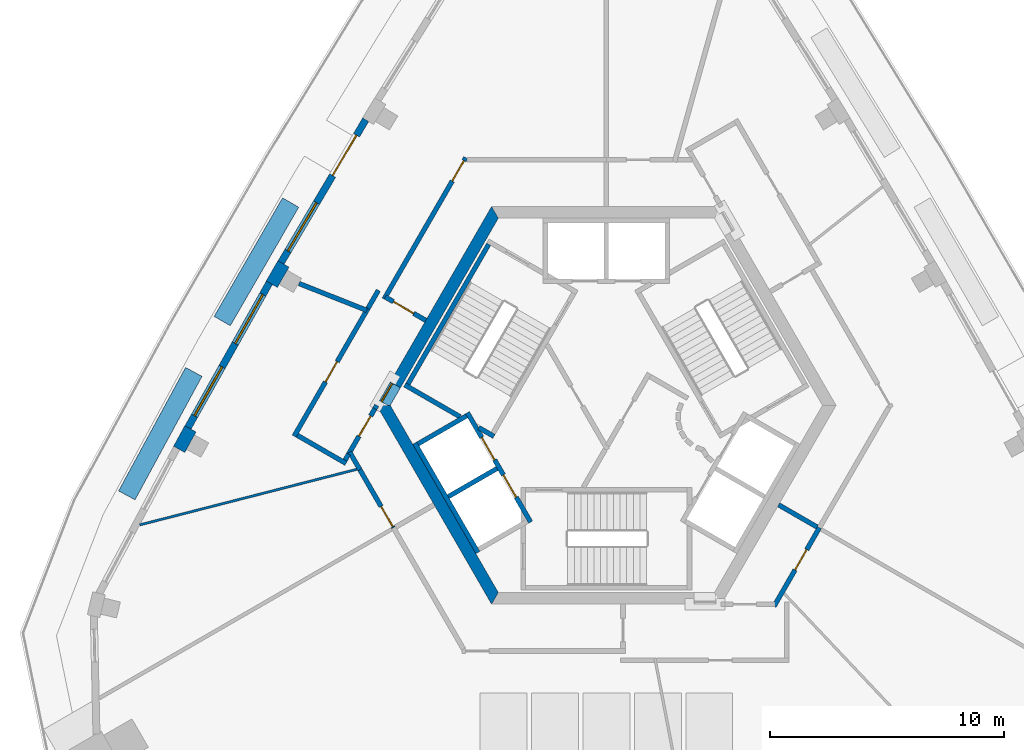
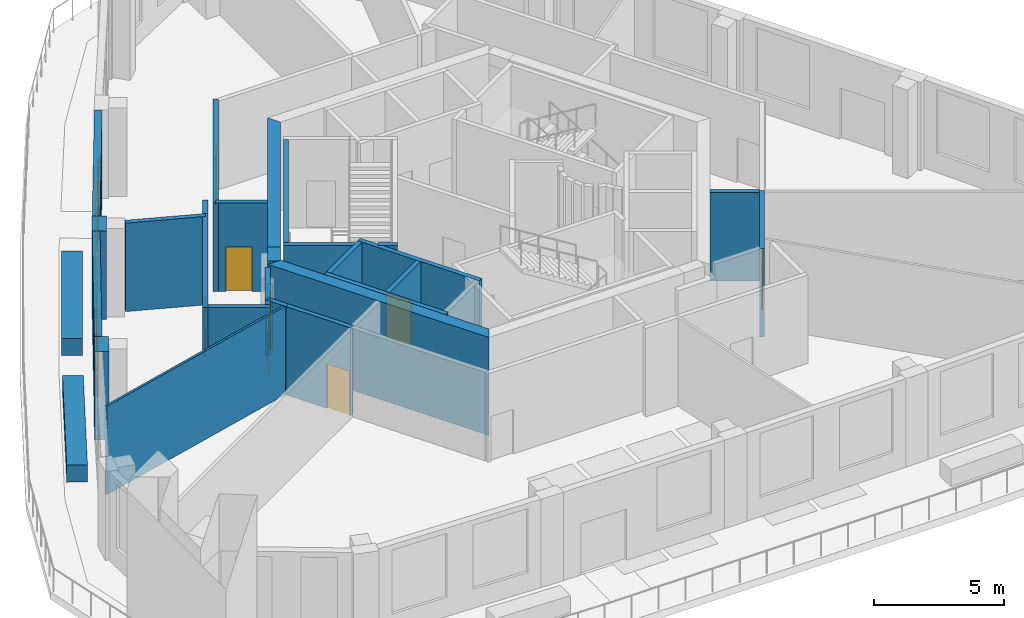
# One storey, part 3 of 9: 31 walls, 10 doors, 3 windows, 13 openings.
"""IFC4 building model written with IfcOpenShell, lengths in metres."""

from ifc_helpers import new_model, si_unit, direction, frame, frame_2d, origin, place, context, subcontext, project, spatial, polyline, rectangle, outline, extrude, material, layer, layer_set, type_object, element, fill, save


model = new_model("IFC4")

# Units and contexts
model_context = context("Model", 3, precision=1e-05, world=origin(), true_north=direction((0.0, 1.0)))
body_context = subcontext(model_context, "Body", "Model", "MODEL_VIEW")
ifc_project = project(units=[si_unit("LENGTHUNIT", "METRE"), si_unit("AREAUNIT", "SQUARE_METRE"), si_unit("VOLUMEUNIT", "CUBIC_METRE"), si_unit("PLANEANGLEUNIT", "RADIAN"), si_unit("MASSUNIT", "GRAM", prefix="KILO")], contexts=[model_context])

# Site, building, storey
site_placement = place(None, origin())
site = spatial("IfcSite", under=ifc_project, at=site_placement, CompositionType="ELEMENT")
building_placement = place(site_placement, origin())
building = spatial("IfcBuilding", under=site, at=building_placement, Name="Entoto Arch Interchange Tower", CompositionType="ELEMENT")
storey_placement = place(building_placement, frame((0.0, 0.0, 331.39990234375)))
storey = spatial("IfcBuildingStorey", under=building, at=storey_placement, Name="L78", CompositionType="ELEMENT", Elevation=331.39990234375)

# Wall, opening, door
ifc_material_1 = material(Name="Reinforced concrete C40/50", Category="concrete")
ifc_layer_1 = layer(ifc_material_1, 0.199951171875)
ifc_layer_set_1 = layer_set([ifc_layer_1], Name="Reinforced concrete C40/50")
wall_type_1 = type_object("IfcWallType", Name="CORE GAP INFILL WALL", PredefinedType="PARTITIONING", material=ifc_layer_set_1)
wall_1_placement = place(storey_placement, frame((-9.14990234375, 3.451904296875, 0.0), z_axis=(0.0, 0.0, 1.0), x_axis=(-0.500079945886, -0.865979242085, 0.0)))
wall_1 = element("IfcWall", 1, at=wall_1_placement, inside=storey, type_object=wall_type_1, Name="wall:L78:gap3", PredefinedType="PARTITIONING", context=body_context, shape_type="SweptSolid", body=[
    extrude(rectangle(XDim=0.926025390625, YDim=0.199951171875, at=frame_2d((0.462890625, 0.0))), origin(), (0.0, 0.0, 1.0), 2.400146484375),
])
opening_1_placement = place(wall_1_placement, frame((0.01708984375, 0.0, 0.0)))
opening_1 = element("IfcOpeningElement", 2, at=opening_1_placement, cuts=wall_1, Name="Opening L78-D93", PredefinedType="OPENING", context=body_context, shape_type="SweptSolid", body=[
    extrude(rectangle(XDim=0.89990234375, YDim=2.10009765625, at=frame_2d((0.449951171875, 1.050048828125))), frame((0.0, 0.10986328125, 0.0), z_axis=(0.0, -1.0, 0.0), x_axis=(1.0, 0.0, 0.0)), (0.0, 0.0, 1.0), 0.219970703125),
])
ifc_material_2 = material(Name="Fire-rated Steel S235 door and frame", Category="steel")
door_type_1 = type_object("IfcDoorType", Name="DOOR FD-09 900x2100", OperationType="SINGLE_SWING_LEFT", PredefinedType="DOOR", material=ifc_material_2)
door_1_placement = place(opening_1_placement, origin())
door_1 = element("IfcDoor", 3, at=door_1_placement, inside=storey, type_object=door_type_1, Name="door:L78:gap3", OperationType="SINGLE_SWING_LEFT", OverallHeight=2.10009765625, OverallWidth=0.89990234375, PredefinedType="DOOR", context=body_context, shape_type="SweptSolid", body=[
    extrude(rectangle(XDim=0.89990234375, YDim=2.10009765625, at=frame_2d((0.449951171875, 1.050048828125))), frame((0.0, 0.02490234375, 0.0), z_axis=(0.0, -1.0, 0.0), x_axis=(1.0, 0.0, 0.0)), (0.0, 0.0, 1.0), 0.050048828125),
])
fill(opening_1, door_1)

# Walls
ifc_material_3 = material(Name="Concrete C40/50", Category="concrete")
ifc_layer_2 = layer(ifc_material_3, 0.5)
ifc_layer_set_2 = layer_set([ifc_layer_2], Name="Concrete C40/50")
wall_type_2 = type_object("IfcWallType", Name="Core wall 500 C40/50", PredefinedType="SHEAR", material=ifc_layer_set_2)
wall_2_placement = place(storey_placement, frame((0.0, 0.0, -0.449951171875)))
element("IfcWall", 4, at=wall_2_placement, inside=storey, type_object=wall_type_2, Name="Core wall NW L78", PredefinedType="SHEAR", context=body_context, shape_type="SweptSolid", body=[
    extrude(outline(polyline([(-9.236083984375, 3.501953125), (-8.802978515625, 3.2529296875), (-4.618896484375, 10.5), (-4.906982421875, 11.0), (-9.236083984375, 3.501953125)])), origin(), (0.0, 0.0, 1.0), 4.60009765625),
])
wall_3_placement = place(storey_placement, frame((0.0, 0.0, 3.60009765625)))
element("IfcWall", 5, at=wall_3_placement, inside=storey, type_object=wall_type_2, Name="Core wall lintel NW L78", PredefinedType="SHEAR", context=body_context, shape_type="SweptSolid", body=[
    extrude(outline(polyline([(-9.699951171875, 2.699951171875), (-9.35400390625, 2.5), (-9.238037109375, 2.5), (-8.802978515625, 3.2529296875), (-9.236083984375, 3.501953125), (-9.699951171875, 2.699951171875)])), origin(), (0.0, 0.0, 1.0), 0.550048828125),
])
wall_4_placement = place(storey_placement, frame((0.0, 0.0, -0.449951171875)))
element("IfcWall", 6, at=wall_4_placement, inside=storey, type_object=wall_type_2, Name="Core wall SW L78", PredefinedType="SHEAR", context=body_context, shape_type="SweptSolid", body=[
    extrude(outline(polyline([(-9.81494140625, 2.5), (-4.906982421875, -6.0), (-4.618896484375, -5.5), (-9.238037109375, 2.5), (-9.81494140625, 2.5)])), origin(), (0.0, 0.0, 1.0), 4.60009765625),
])

# Wall, openings, doors
ifc_layer_3 = layer(ifc_material_3, 0.199951171875)
ifc_layer_set_3 = layer_set([ifc_layer_3], Name="Concrete C40/50")
wall_type_3 = type_object("IfcWallType", Name="LIFT SHAFT WALL 200", PredefinedType="STANDARD", material=ifc_layer_set_3)
wall_5_placement = place(storey_placement, frame((-5.93994140625, 2.18798828125, 0.0), z_axis=(0.0, 0.0, 1.0), x_axis=(0.500034260056, -0.866005622828, 0.0)))
wall_5 = element("IfcWall", 7, at=wall_5_placement, inside=storey, type_object=wall_type_3, Name="Shaft wall SW1 front", PredefinedType="STANDARD", context=body_context, shape_type="SweptSolid", body=[
    extrude(rectangle(XDim=5.3994140625, YDim=0.199951171875, at=frame_2d((2.69970703125, 0.0))), origin(), (0.0, 0.0, 1.0), 4.150146484375),
])
opening_2_placement = place(wall_5_placement, frame((3.074951171875, 0.0, 0.0)))
opening_2 = element("IfcOpeningElement", 8, at=opening_2_placement, cuts=wall_5, Name="Opening LD-HR4-L78", PredefinedType="OPENING", context=body_context, shape_type="SweptSolid", body=[
    extrude(rectangle(XDim=1.10009765625, YDim=2.10009765625, at=frame_2d((0.550048828125, 1.050048828125))), frame((0.0, 0.10986328125, 0.0), z_axis=(0.0, -1.0, 0.0), x_axis=(1.0, 0.0, 0.0)), (0.0, 0.0, 1.0), 0.219970703125),
])
opening_3_placement = place(wall_5_placement, frame((1.22509765625, 0.0, 0.0)))
opening_3 = element("IfcOpeningElement", 9, at=opening_3_placement, cuts=wall_5, Name="Opening LD-FF2-L78", PredefinedType="OPENING", context=body_context, shape_type="SweptSolid", body=[
    extrude(rectangle(XDim=1.10009765625, YDim=2.10009765625, at=frame_2d((0.550048828125, 1.050048828125))), frame((0.0, 0.10986328125, 0.0), z_axis=(0.0, -1.0, 0.0), x_axis=(1.0, 0.0, 0.0)), (0.0, 0.0, 1.0), 0.219970703125),
])
ifc_material_4 = material(Name="Stainless steel 1.4301 panels", Category="steel")
door_type_2 = type_object("IfcDoorType", Name="LIFT LANDING DOOR LD1 1100x2100", OperationType="SLIDING_TO_LEFT", PredefinedType="DOOR", material=ifc_material_4)
door_2_placement = place(opening_2_placement, origin())
door_2 = element("IfcDoor", 10, at=door_2_placement, inside=storey, type_object=door_type_2, Name="Lift landing door HR4 L78", OperationType="SLIDING_TO_LEFT", OverallHeight=2.10009765625, OverallWidth=1.10009765625, PredefinedType="DOOR", context=body_context, shape_type="SweptSolid", body=[
    extrude(rectangle(XDim=1.10009765625, YDim=2.10009765625, at=frame_2d((0.550048828125, 1.050048828125))), frame((0.0, 0.02490234375, 0.0), z_axis=(0.0, -1.0, 0.0), x_axis=(1.0, 0.0, 0.0)), (0.0, 0.0, 1.0), 0.050048828125),
])
fill(opening_2, door_2)
door_3_placement = place(opening_3_placement, origin())
door_3 = element("IfcDoor", 11, at=door_3_placement, inside=storey, type_object=door_type_2, Name="Lift landing door FF2 L78", OperationType="SLIDING_TO_LEFT", OverallHeight=2.10009765625, OverallWidth=1.10009765625, PredefinedType="DOOR", context=body_context, shape_type="SweptSolid", body=[
    extrude(rectangle(XDim=1.10009765625, YDim=2.10009765625, at=frame_2d((0.550048828125, 1.050048828125))), frame((0.0, 0.02490234375, 0.0), z_axis=(0.0, -1.0, 0.0), x_axis=(1.0, 0.0, 0.0)), (0.0, 0.0, 1.0), 0.050048828125),
])
fill(opening_3, door_3)

# Walls
wall_6_placement = place(storey_placement, frame((-8.19189453125, 0.887939453125, 0.0), z_axis=(0.0, 0.0, 1.0), x_axis=(0.500034260056, -0.866005622828, 0.0)))
element("IfcWall", 12, at=wall_6_placement, inside=storey, type_object=wall_type_3, Name="Shaft wall SW1 back", PredefinedType="STANDARD", context=body_context, shape_type="SweptSolid", body=[
    extrude(rectangle(XDim=5.3994140625, YDim=0.199951171875, at=frame_2d((2.69970703125, 0.0))), origin(), (0.0, 0.0, 1.0), 4.150146484375),
])
for number, where, z_axis, x_axis, name in (
    (13, (-5.97705078125, 2.052001953125, 0.0), (0.0, 0.0, 1.0), (-0.865973769406, -0.500089422704, 0.0), "Shaft wall SW1 cross 1"),
    (14, (-4.677001953125, -0.199951171875, 0.0), (0.0, 0.0, 1.0), (-0.865973769406, -0.500089422704, 0.0), "Shaft wall SW1 cross 2"),
):
    element("IfcWall", number, at=place(storey_placement, frame(where, z_axis=z_axis, x_axis=x_axis)), inside=storey, type_object=wall_type_3, Name=name, PredefinedType="STANDARD", context=body_context, shape_type="SweptSolid", body=[
        extrude(rectangle(XDim=2.3994140625, YDim=0.199951171875, at=frame_2d((1.19970703125, 0.0))), origin(), (0.0, 0.0, 1.0), 4.150146484375),
    ])
ifc_material_5 = material(Name="Gypsum board partition on steel studs", Category="steel")
ifc_layer_4 = layer(ifc_material_5, 0.10009765625)
ifc_layer_set_4 = layer_set([ifc_layer_4], Name="Gypsum board partition on steel studs")
wall_type_4 = type_object("IfcWallType", Name="PARTITION 100", PredefinedType="PARTITIONING", material=ifc_layer_set_4)
wall_7_placement = place(storey_placement, frame((-10.465087890625, -0.180908203125, 0.0), z_axis=(0.0, 0.0, 1.0), x_axis=(-0.968738459131, -0.248084255448, 0.0)))
element("IfcWall", 15, at=wall_7_placement, inside=storey, type_object=wall_type_4, Name="wall:L78:p050", PredefinedType="PARTITIONING", context=body_context, shape_type="SweptSolid", body=[
    extrude(rectangle(XDim=9.786865234375, YDim=0.10009765625, at=frame_2d((4.8935546875, 0.0))), origin(), (0.0, 0.0, 1.0), 4.150146484375),
])

# Wall, opening, door
ifc_layer_5 = layer(ifc_material_5, 0.199951171875)
ifc_layer_set_5 = layer_set([ifc_layer_5], Name="Gypsum board partition on steel studs")
wall_type_5 = type_object("IfcWallType", Name="PARTITION 200", PredefinedType="PARTITIONING", material=ifc_layer_set_5)
wall_8_placement = place(storey_placement, frame((9.10595703125, -2.72802734375, 0.0), z_axis=(0.0, 0.0, 1.0), x_axis=(-0.500132879116, -0.865948672398, 0.0)))
wall_8 = element("IfcWall", 16, at=wall_8_placement, inside=storey, type_object=wall_type_5, Name="wall:L78:p021", PredefinedType="PARTITIONING", context=body_context, shape_type="SweptSolid", body=[
    extrude(rectangle(XDim=3.87890625, YDim=0.199951171875, at=frame_2d((1.939453125, 0.0))), origin(), (0.0, 0.0, 1.0), 4.150146484375),
])
opening_4_placement = place(wall_8_placement, frame((1.0830078125, 0.0, 0.0)))
opening_4 = element("IfcOpeningElement", 17, at=opening_4_placement, cuts=wall_8, Name="Opening L78-D05", PredefinedType="OPENING", context=body_context, shape_type="SweptSolid", body=[
    extrude(rectangle(XDim=1.0, YDim=2.10009765625, at=frame_2d((0.5, 1.050048828125))), frame((0.0, 0.10986328125, 0.0), z_axis=(0.0, -1.0, 0.0), x_axis=(1.0, 0.0, 0.0)), (0.0, 0.0, 1.0), 0.219970703125),
])
ifc_material_6 = material(Name="Timber door leaf in Steel S235 frame", Category="steel")
door_type_3 = type_object("IfcDoorType", Name="DOOR DS-10 1000x2100", OperationType="SINGLE_SWING_LEFT", PredefinedType="DOOR", material=ifc_material_6)
door_4_placement = place(opening_4_placement, origin())
door_4 = element("IfcDoor", 18, at=door_4_placement, inside=storey, type_object=door_type_3, Name="door:L78:05", OperationType="SINGLE_SWING_LEFT", OverallHeight=2.10009765625, OverallWidth=1.0, PredefinedType="DOOR", context=body_context, shape_type="SweptSolid", body=[
    extrude(rectangle(XDim=1.0, YDim=2.10009765625, at=frame_2d((0.5, 1.050048828125))), frame((0.0, 0.02490234375, 0.0), z_axis=(0.0, -1.0, 0.0), x_axis=(1.0, 0.0, 0.0)), (0.0, 0.0, 1.0), 0.050048828125),
])
fill(opening_4, door_4)

# Wall
wall_9_placement = place(storey_placement, frame((7.361083984375, -1.75, 0.0), z_axis=(0.0, 0.0, 1.0), x_axis=(0.865980106173, -0.500078449558, 0.0)))
element("IfcWall", 19, at=wall_9_placement, inside=storey, type_object=wall_type_5, Name="wall:L78:p022", PredefinedType="PARTITIONING", context=body_context, shape_type="SweptSolid", body=[
    extrude(rectangle(XDim=1.899658203125, YDim=0.199951171875, at=frame_2d((0.94970703125, 0.0))), origin(), (0.0, 0.0, 1.0), 4.150146484375),
])

# Wall, opening, door
wall_10_placement = place(storey_placement, frame((-9.449951171875, 7.132080078125, 0.0), z_axis=(0.0, 0.0, 1.0), x_axis=(0.866010750942, -0.50002537861, 0.0)))
wall_10 = element("IfcWall", 20, at=wall_10_placement, inside=storey, type_object=wall_type_5, Name="wall:L78:p039", PredefinedType="PARTITIONING", context=body_context, shape_type="SweptSolid", body=[
    extrude(rectangle(XDim=2.0, YDim=0.199951171875, at=frame_2d((1.0, 0.0))), origin(), (0.0, 0.0, 1.0), 4.150146484375),
])
opening_5_placement = place(wall_10_placement, frame((0.39990234375, 0.0, 0.0)))
opening_5 = element("IfcOpeningElement", 21, at=opening_5_placement, cuts=wall_10, Name="Opening L78-D11", PredefinedType="OPENING", context=body_context, shape_type="SweptSolid", body=[
    extrude(rectangle(XDim=1.0, YDim=2.10009765625, at=frame_2d((0.5, 1.050048828125))), frame((0.0, 0.10986328125, 0.0), z_axis=(0.0, -1.0, 0.0), x_axis=(1.0, 0.0, 0.0)), (0.0, 0.0, 1.0), 0.219970703125),
])
door_type_4 = type_object("IfcDoorType", Name="DOOR FD-10 1000x2100", OperationType="SINGLE_SWING_LEFT", PredefinedType="DOOR", material=ifc_material_2)
door_5_placement = place(opening_5_placement, origin())
door_5 = element("IfcDoor", 22, at=door_5_placement, inside=storey, type_object=door_type_4, Name="door:L78:11", OperationType="SINGLE_SWING_LEFT", OverallHeight=2.10009765625, OverallWidth=1.0, PredefinedType="DOOR", context=body_context, shape_type="SweptSolid", body=[
    extrude(rectangle(XDim=1.0, YDim=2.10009765625, at=frame_2d((0.5, 1.050048828125))), frame((0.0, 0.02490234375, 0.0), z_axis=(0.0, -1.0, 0.0), x_axis=(1.0, 0.0, 0.0)), (0.0, 0.0, 1.0), 0.050048828125),
])
fill(opening_5, door_5)

# Walls
wall_11_placement = place(storey_placement, frame((-9.81494140625, 2.5, 0.0), z_axis=(0.0, 0.0, 1.0), x_axis=(-0.5004692653, -0.865754303766, 0.0)))
element("IfcWall", 23, at=wall_11_placement, inside=storey, type_object=wall_type_5, Name="wall:L78:p040", PredefinedType="PARTITIONING", context=body_context, shape_type="SweptSolid", body=[
    extrude(rectangle(XDim=0.169677734375, YDim=0.199951171875, at=frame_2d((0.0849609375, 0.0))), origin(), (0.0, 0.0, 1.0), 2.400146484375),
])
wall_12_placement = place(storey_placement, frame((-11.02001953125, 0.4130859375, 0.0), z_axis=(0.0, 0.0, 1.0), x_axis=(-0.500222587251, -0.865896854829, 0.0)))
element("IfcWall", 24, at=wall_12_placement, inside=storey, type_object=wall_type_5, Name="wall:L78:p041", PredefinedType="PARTITIONING", context=body_context, shape_type="SweptSolid", body=[
    extrude(rectangle(XDim=0.295654296875, YDim=0.199951171875, at=frame_2d((0.14794921875, 0.0))), origin(), (0.0, 0.0, 1.0), 4.150146484375),
])
wall_13_placement = place(storey_placement, frame((-11.131103515625, 0.02001953125, 0.0), z_axis=(0.0, 0.0, 1.0), x_axis=(-0.865973769406, 0.500089422704, 0.0)))
element("IfcWall", 25, at=wall_13_placement, inside=storey, type_object=wall_type_5, Name="wall:L78:p042", PredefinedType="PARTITIONING", context=body_context, shape_type="SweptSolid", body=[
    extrude(rectangle(XDim=2.3994140625, YDim=0.199951171875, at=frame_2d((1.19970703125, 0.0))), origin(), (0.0, 0.0, 1.0), 4.150146484375),
])

# Wall, opening, door
wall_14_placement = place(storey_placement, frame((-13.345947265625, 1.18310546875, 0.0), z_axis=(0.0, 0.0, 1.0), x_axis=(0.49998814853, 0.866032246126, 0.0)))
wall_14 = element("IfcWall", 26, at=wall_14_placement, inside=storey, type_object=wall_type_5, Name="wall:L78:p043", PredefinedType="PARTITIONING", context=body_context, shape_type="SweptSolid", body=[
    extrude(rectangle(XDim=6.310302734375, YDim=0.199951171875, at=frame_2d((3.1552734375, 0.0))), origin(), (0.0, 0.0, 1.0), 4.150146484375),
])
opening_6_placement = place(wall_14_placement, frame((2.679931640625, 0.0, 0.0)))
opening_6 = element("IfcOpeningElement", 27, at=opening_6_placement, cuts=wall_14, Name="Opening L78-D13", PredefinedType="OPENING", context=body_context, shape_type="SweptSolid", body=[
    extrude(rectangle(XDim=1.0, YDim=2.10009765625, at=frame_2d((0.5, 1.050048828125))), frame((0.0, 0.10986328125, 0.0), z_axis=(0.0, -1.0, 0.0), x_axis=(1.0, 0.0, 0.0)), (0.0, 0.0, 1.0), 0.219970703125),
])
door_6_placement = place(opening_6_placement, origin())
door_6 = element("IfcDoor", 28, at=door_6_placement, inside=storey, type_object=door_type_4, Name="door:L78:13", OperationType="SINGLE_SWING_LEFT", OverallHeight=2.10009765625, OverallWidth=1.0, PredefinedType="DOOR", context=body_context, shape_type="SweptSolid", body=[
    extrude(rectangle(XDim=1.0, YDim=2.10009765625, at=frame_2d((0.5, 1.050048828125))), frame((0.0, 0.02490234375, 0.0), z_axis=(0.0, -1.0, 0.0), x_axis=(1.0, 0.0, 0.0)), (0.0, 0.0, 1.0), 0.050048828125),
])
fill(opening_6, door_6)

# Wall
wall_15_placement = place(storey_placement, frame((-10.19091796875, 6.64794921875, 0.0), z_axis=(0.0, 0.0, 1.0), x_axis=(0.49973828311, 0.866176453382, 0.0)))
element("IfcWall", 29, at=wall_15_placement, inside=storey, type_object=wall_type_5, Name="wall:L78:p044", PredefinedType="PARTITIONING", context=body_context, shape_type="SweptSolid", body=[
    extrude(rectangle(XDim=0.89013671875, YDim=0.199951171875, at=frame_2d((0.445068359375, 0.0))), origin(), (0.0, 0.0, 1.0), 4.150146484375),
])

# Wall, opening, door
wall_16_placement = place(storey_placement, frame((-9.5, 7.044921875, 0.0), z_axis=(0.0, 0.0, 1.0), x_axis=(0.499966812698, 0.866044563634, 0.0)))
wall_16 = element("IfcWall", 30, at=wall_16_placement, inside=storey, type_object=wall_type_5, Name="wall:L78:p045", PredefinedType="PARTITIONING", context=body_context, shape_type="SweptSolid", body=[
    extrude(rectangle(XDim=6.9765625, YDim=0.199951171875, at=frame_2d((3.48828125, 0.0))), origin(), (0.0, 0.0, 1.0), 4.150146484375),
])
opening_7_placement = place(wall_16_placement, frame((5.825927734375, 0.0, 0.0)))
opening_7 = element("IfcOpeningElement", 31, at=opening_7_placement, cuts=wall_16, Name="Opening L78-D14", PredefinedType="OPENING", context=body_context, shape_type="SweptSolid", body=[
    extrude(rectangle(XDim=1.0, YDim=2.10009765625, at=frame_2d((0.5, 1.050048828125))), frame((0.0, 0.10986328125, 0.0), z_axis=(0.0, -1.0, 0.0), x_axis=(1.0, 0.0, 0.0)), (0.0, 0.0, 1.0), 0.219970703125),
])
door_7_placement = place(opening_7_placement, origin())
door_7 = element("IfcDoor", 32, at=door_7_placement, inside=storey, type_object=door_type_3, Name="door:L78:14", OperationType="SINGLE_SWING_RIGHT", OverallHeight=2.10009765625, OverallWidth=1.0, PredefinedType="DOOR", context=body_context, shape_type="SweptSolid", body=[
    extrude(rectangle(XDim=1.0, YDim=2.10009765625, at=frame_2d((0.5, 1.050048828125))), frame((0.0, 0.02490234375, 0.0), z_axis=(0.0, -1.0, 0.0), x_axis=(1.0, 0.0, 0.0)), (0.0, 0.0, 1.0), 0.050048828125),
])
fill(opening_7, door_7)

# Wall
wall_17_placement = place(storey_placement, frame((-10.537109375, -0.2490234375, 0.0), z_axis=(0.0, 0.0, 1.0), x_axis=(-0.500357525511, 0.865818887912, 0.0)))
element("IfcWall", 33, at=wall_17_placement, inside=storey, type_object=wall_type_5, Name="wall:L78:p047", PredefinedType="PARTITIONING", context=body_context, shape_type="SweptSolid", body=[
    extrude(rectangle(XDim=0.864990234375, YDim=0.199951171875, at=frame_2d((0.4326171875, 0.0))), origin(), (0.0, 0.0, 1.0), 4.150146484375),
])

# Wall, opening, door
wall_18_placement = place(storey_placement, frame((-9.10498046875, -2.72802734375, 0.0), z_axis=(0.0, 0.0, 1.0), x_axis=(-0.500229291894, 0.86589298157, 0.0)))
wall_18 = element("IfcWall", 34, at=wall_18_placement, inside=storey, type_object=wall_type_5, Name="wall:L78:p048", PredefinedType="PARTITIONING", context=body_context, shape_type="SweptSolid", body=[
    extrude(rectangle(XDim=2.863037109375, YDim=0.199951171875, at=frame_2d((1.431640625, 0.0))), origin(), (0.0, 0.0, 1.0), 4.150146484375),
])
opening_8_placement = place(wall_18_placement, frame((0.049072265625, 0.0, 0.0)))
opening_8 = element("IfcOpeningElement", 35, at=opening_8_placement, cuts=wall_18, Name="Opening L78-D15", PredefinedType="OPENING", context=body_context, shape_type="SweptSolid", body=[
    extrude(rectangle(XDim=1.0, YDim=2.10009765625, at=frame_2d((0.5, 1.050048828125))), frame((0.0, 0.10986328125, 0.0), z_axis=(0.0, -1.0, 0.0), x_axis=(1.0, 0.0, 0.0)), (0.0, 0.0, 1.0), 0.219970703125),
])
door_8_placement = place(opening_8_placement, origin())
door_8 = element("IfcDoor", 36, at=door_8_placement, inside=storey, type_object=door_type_3, Name="door:L78:15", OperationType="SINGLE_SWING_LEFT", OverallHeight=2.10009765625, OverallWidth=1.0, PredefinedType="DOOR", context=body_context, shape_type="SweptSolid", body=[
    extrude(rectangle(XDim=1.0, YDim=2.10009765625, at=frame_2d((0.5, 1.050048828125))), frame((0.0, 0.02490234375, 0.0), z_axis=(0.0, -1.0, 0.0), x_axis=(1.0, 0.0, 0.0)), (0.0, 0.0, 1.0), 0.050048828125),
])
fill(opening_8, door_8)

# Wall
wall_19_placement = place(storey_placement, frame((-13.135009765625, 7.708984375, 0.0), z_axis=(0.0, 0.0, 1.0), x_axis=(0.929543616209, -0.368712171707, 0.0)))
element("IfcWall", 37, at=wall_19_placement, inside=storey, type_object=wall_type_5, Name="wall:L78:p049", PredefinedType="PARTITIONING", context=body_context, shape_type="SweptSolid", body=[
    extrude(rectangle(XDim=3.11328125, YDim=0.199951171875, at=frame_2d((1.556640625, 0.0))), origin(), (0.0, 0.0, 1.0), 4.150146484375),
])

# Wall, opening, door
wall_20_placement = place(storey_placement, frame((-9.89990234375, 2.35302734375, 0.0), z_axis=(0.0, 0.0, 1.0), x_axis=(-0.500030632641, -0.866007717299, 0.0)))
wall_20 = element("IfcWall", 38, at=wall_20_placement, inside=storey, type_object=wall_type_5, Name="wall:L78:p040", PredefinedType="PARTITIONING", context=body_context, shape_type="SweptSolid", body=[
    extrude(rectangle(XDim=2.239990234375, YDim=0.199951171875, at=frame_2d((1.1201171875, 0.0))), origin(), (0.0, 0.0, 1.0), 4.150146484375),
])
opening_9_placement = place(wall_20_placement, frame((0.35107421875, 0.0, 0.0)))
opening_9 = element("IfcOpeningElement", 39, at=opening_9_placement, cuts=wall_20, Name="Opening L78-D12", PredefinedType="OPENING", context=body_context, shape_type="SweptSolid", body=[
    extrude(rectangle(XDim=1.0, YDim=2.10009765625, at=frame_2d((0.5, 1.050048828125))), frame((0.0, 0.10986328125, 0.0), z_axis=(0.0, -1.0, 0.0), x_axis=(1.0, 0.0, 0.0)), (0.0, 0.0, 1.0), 0.219970703125),
])
door_9_placement = place(opening_9_placement, origin())
door_9 = element("IfcDoor", 40, at=door_9_placement, inside=storey, type_object=door_type_4, Name="door:L78:12", OperationType="SINGLE_SWING_RIGHT", OverallHeight=2.10009765625, OverallWidth=1.0, PredefinedType="DOOR", context=body_context, shape_type="SweptSolid", body=[
    extrude(rectangle(XDim=1.0, YDim=2.10009765625, at=frame_2d((0.5, 1.050048828125))), frame((0.0, 0.02490234375, 0.0), z_axis=(0.0, -1.0, 0.0), x_axis=(1.0, 0.0, 0.0)), (0.0, 0.0, 1.0), 0.050048828125),
])
fill(opening_9, door_9)

# Walls
ifc_material_7 = material(Name="Board-marked precast concrete C50/60", Category="concrete")
ifc_layer_6 = layer(ifc_material_7, 0.800048828125)
ifc_layer_set_6 = layer_set([ifc_layer_6], Name="Board-marked precast concrete C50/60")
wall_type_6 = type_object("IfcWallType", Name="PLANTER RC 800 Hagenia abyssinica", PredefinedType="STANDARD", material=ifc_layer_set_6)
wall_21_placement = place(storey_placement, frame((-13.4951171875, 11.169921875, 0.0), z_axis=(0.0, 0.0, 1.0), x_axis=(-0.499980071345, -0.866036909293, 0.0)))
element("IfcWall", 41, at=wall_21_placement, inside=storey, type_object=wall_type_6, Name="Terrace planter NW-02 L78", PredefinedType="STANDARD", context=body_context, shape_type="SweptSolid", body=[
    extrude(rectangle(XDim=5.851806640625, YDim=0.800048828125, at=frame_2d((2.92578125, 0.0))), origin(), (0.0, 0.0, 1.0), 0.800048828125),
])
ifc_layer_7 = layer(ifc_material_7, 0.800048828125)
ifc_layer_set_7 = layer_set([ifc_layer_7], Name="Board-marked precast concrete C50/60")
wall_type_7 = type_object("IfcWallType", Name="PLANTER RC 800 Vachellia abyssinica", PredefinedType="STANDARD", material=ifc_layer_set_7)
wall_22_placement = place(storey_placement, frame((-17.635009765625, 3.930908203125, 0.0), z_axis=(0.0, 0.0, 1.0), x_axis=(-0.476825343116, -0.878998061524, 0.0)))
element("IfcWall", 42, at=wall_22_placement, inside=storey, type_object=wall_type_7, Name="Terrace planter NW-03 L78", PredefinedType="STANDARD", context=body_context, shape_type="SweptSolid", body=[
    extrude(rectangle(XDim=6.00439453125, YDim=0.800048828125, at=frame_2d((3.002197265625, 0.0))), origin(), (0.0, 0.0, 1.0), 0.800048828125),
])
ifc_layer_8 = layer(ifc_material_3, 0.199951171875)
ifc_layer_set_8 = layer_set([ifc_layer_8], Name="Concrete C40/50")
wall_type_8 = type_object("IfcWallType", Name="STAIR ENCLOSURE WALL 200", PredefinedType="STANDARD", material=ifc_layer_set_8)
wall_23_placement = place(storey_placement, frame((-6.25, 2.010009765625, 0.0), z_axis=(0.0, 0.0, 1.0), x_axis=(-0.86611865017, 0.499838457731, 0.0)))
element("IfcWall", 43, at=wall_23_placement, inside=storey, type_object=wall_type_8, Name="Stair wall ST-NW far", PredefinedType="STANDARD", context=body_context, shape_type="SweptSolid", body=[
    extrude(rectangle(XDim=2.73291015625, YDim=0.199951171875, at=frame_2d((1.366455078125, 0.0))), origin(), (0.0, 0.0, 1.0), 4.150146484375),
])
wall_24_placement = place(storey_placement, frame((-4.805908203125, 1.176025390625, 0.0), z_axis=(0.0, 0.0, 1.0), x_axis=(-0.866558586415, 0.499075361355, 0.0)))
element("IfcWall", 44, at=wall_24_placement, inside=storey, type_object=wall_type_8, Name="Stair wall ST-NW far return", PredefinedType="STANDARD", context=body_context, shape_type="SweptSolid", body=[
    extrude(rectangle(XDim=0.75146484375, YDim=0.199951171875, at=frame_2d((0.375732421875, 0.0))), origin(), (0.0, 0.0, 1.0), 4.150146484375),
])
wall_25_placement = place(storey_placement, frame((-5.030029296875, 9.387939453125, 0.0), z_axis=(0.0, 0.0, 1.0), x_axis=(-0.499978703459, -0.866037698999, 0.0)))
element("IfcWall", 45, at=wall_25_placement, inside=storey, type_object=wall_type_8, Name="Stair wall ST-NW back", PredefinedType="STANDARD", context=body_context, shape_type="SweptSolid", body=[
    extrude(rectangle(XDim=6.900146484375, YDim=0.199951171875, at=frame_2d((3.4501953125, 0.0))), origin(), (0.0, 0.0, 1.0), 4.150146484375),
])

# Wall, openings, door, window
ifc_material_8 = material(Name="Welded tuff (ignimbrite) cladding, warm buff", Category="masonry")
ifc_layer_9 = layer(ifc_material_8, 0.300048828125)
ifc_layer_set_9 = layer_set([ifc_layer_9], Name="Welded tuff (ignimbrite) cladding, warm buff")
wall_type_9 = type_object("IfcWallType", Name="STONE INFILL WALL 300", PredefinedType="STANDARD", material=ifc_layer_set_9)
wall_26_placement = place(storey_placement, frame((-10.287109375, 14.7109375, 0.0), z_axis=(0.0, 0.0, 1.0), x_axis=(-0.509697735304, -0.86035354281, 0.0)))
wall_26 = element("IfcWall", 46, at=wall_26_placement, inside=storey, type_object=wall_type_9, Name="Facade wall NW-02 L78", PredefinedType="STANDARD", context=body_context, shape_type="SweptSolid", body=[
    extrude(rectangle(XDim=7.09814453125, YDim=0.300048828125, at=frame_2d((3.549072265625, 0.0))), origin(), (0.0, 0.0, 1.0), 4.150146484375),
])
opening_10_placement = place(wall_26_placement, frame((0.77490234375, 0.0, 0.0)))
opening_10 = element("IfcOpeningElement", 47, at=opening_10_placement, cuts=wall_26, Name="Opening DT-NW-02-L78", PredefinedType="OPENING", context=body_context, shape_type="SweptSolid", body=[
    extrude(rectangle(XDim=2.0, YDim=2.39990234375, at=frame_2d((1.0, 1.199951171875))), frame((0.0, 0.16015625, 0.0), z_axis=(0.0, -1.0, 0.0), x_axis=(1.0, 0.0, 0.0)), (0.0, 0.0, 1.0), 0.320068359375),
])
opening_11_placement = place(wall_26_placement, frame((4.1240234375, 0.0, 0.89990234375)))
opening_11 = element("IfcOpeningElement", 48, at=opening_11_placement, cuts=wall_26, Name="Opening WK-A", PredefinedType="OPENING", context=body_context, shape_type="SweptSolid", body=[
    extrude(rectangle(XDim=2.39990234375, YDim=3.0, at=frame_2d((1.199951171875, 1.5))), frame((0.0, 0.16015625, 0.0), z_axis=(0.0, -1.0, 0.0), x_axis=(1.0, 0.0, 0.0)), (0.0, 0.0, 1.0), 0.320068359375),
])
ifc_material_9 = material(Name="Aluminium and clear glass, anodised", Category="aluminium")
door_type_5 = type_object("IfcDoorType", Name="TERRACE DOOR DT 2000x2400", OperationType="SLIDING_TO_LEFT", PredefinedType="DOOR", material=ifc_material_9)
door_10_placement = place(opening_10_placement, origin())
door_10 = element("IfcDoor", 49, at=door_10_placement, inside=storey, type_object=door_type_5, Name="Terrace door NW-02 L78", OperationType="SLIDING_TO_LEFT", OverallHeight=2.39990234375, OverallWidth=2.0, PredefinedType="DOOR", context=body_context, shape_type="SweptSolid", body=[
    extrude(rectangle(XDim=2.0, YDim=2.39990234375, at=frame_2d((1.0, 1.199951171875))), frame((0.0, 0.02490234375, 0.0), z_axis=(0.0, -1.0, 0.0), x_axis=(1.0, 0.0, 0.0)), (0.0, 0.0, 1.0), 0.050048828125),
])
fill(opening_10, door_10)
ifc_material_10 = material(Name="Clear glass, low-e double glazed", Category="glass")
window_type = type_object("IfcWindowType", Name="WINDOW WK-A 2400x3000", PartitioningType="DOUBLE_PANEL_VERTICAL", PredefinedType="WINDOW", material=ifc_material_10)
window_1_placement = place(opening_11_placement, origin())
window_1 = element("IfcWindow", 50, at=window_1_placement, inside=storey, type_object=window_type, Name="Window WK-A NW-02 L78", OverallHeight=3.0, OverallWidth=2.39990234375, PartitioningType="SINGLE_PANEL", PredefinedType="WINDOW", context=body_context, shape_type="SweptSolid", body=[
    extrude(rectangle(XDim=2.39990234375, YDim=3.0, at=frame_2d((1.199951171875, 1.5))), frame((0.0, 0.030029296875, 0.0), z_axis=(0.0, -1.0, 0.0), x_axis=(1.0, 0.0, 0.0)), (0.0, 0.0, 1.0), 0.06005859375),
])
fill(opening_11, window_1)

# Wall, openings, windows
wall_27_placement = place(storey_placement, frame((-14.404052734375, 7.739990234375, 0.0), z_axis=(0.0, 0.0, 1.0), x_axis=(-0.49029716741, -0.871555326775, 0.0)))
wall_27 = element("IfcWall", 51, at=wall_27_placement, inside=storey, type_object=wall_type_9, Name="Facade wall NW-03 L78", PredefinedType="STANDARD", context=body_context, shape_type="SweptSolid", body=[
    extrude(rectangle(XDim=7.09765625, YDim=0.300048828125, at=frame_2d((3.548828125, 0.0))), origin(), (0.0, 0.0, 1.0), 4.150146484375),
])
opening_12_placement = place(wall_27_placement, frame((0.573974609375, 0.0, 0.89990234375)))
opening_12 = element("IfcOpeningElement", 52, at=opening_12_placement, cuts=wall_27, Name="Opening WK-A", PredefinedType="OPENING", context=body_context, shape_type="SweptSolid", body=[
    extrude(rectangle(XDim=2.39990234375, YDim=3.0, at=frame_2d((1.199951171875, 1.5))), frame((0.0, 0.16015625, 0.0), z_axis=(0.0, -1.0, 0.0), x_axis=(1.0, 0.0, 0.0)), (0.0, 0.0, 1.0), 0.320068359375),
])
opening_13_placement = place(wall_27_placement, frame((4.123046875, 0.0, 0.89990234375)))
opening_13 = element("IfcOpeningElement", 53, at=opening_13_placement, cuts=wall_27, Name="Opening WK-A", PredefinedType="OPENING", context=body_context, shape_type="SweptSolid", body=[
    extrude(rectangle(XDim=2.39990234375, YDim=3.0, at=frame_2d((1.199951171875, 1.5))), frame((0.0, 0.16015625, 0.0), z_axis=(0.0, -1.0, 0.0), x_axis=(1.0, 0.0, 0.0)), (0.0, 0.0, 1.0), 0.320068359375),
])
window_2_placement = place(opening_12_placement, origin())
window_2 = element("IfcWindow", 54, at=window_2_placement, inside=storey, type_object=window_type, Name="Window WK-A NW-03 L78", OverallHeight=3.0, OverallWidth=2.39990234375, PartitioningType="SINGLE_PANEL", PredefinedType="WINDOW", context=body_context, shape_type="SweptSolid", body=[
    extrude(rectangle(XDim=2.39990234375, YDim=3.0, at=frame_2d((1.199951171875, 1.5))), frame((0.0, 0.030029296875, 0.0), z_axis=(0.0, -1.0, 0.0), x_axis=(1.0, 0.0, 0.0)), (0.0, 0.0, 1.0), 0.06005859375),
])
fill(opening_12, window_2)
window_3_placement = place(opening_13_placement, origin())
window_3 = element("IfcWindow", 55, at=window_3_placement, inside=storey, type_object=window_type, Name="Window WK-A NW-03 L78", OverallHeight=3.0, OverallWidth=2.39990234375, PartitioningType="SINGLE_PANEL", PredefinedType="WINDOW", context=body_context, shape_type="SweptSolid", body=[
    extrude(rectangle(XDim=2.39990234375, YDim=3.0, at=frame_2d((1.199951171875, 1.5))), frame((0.0, 0.030029296875, 0.0), z_axis=(0.0, -1.0, 0.0), x_axis=(1.0, 0.0, 0.0)), (0.0, 0.0, 1.0), 0.06005859375),
])
fill(opening_13, window_3)

# Walls
ifc_layer_10 = layer(ifc_material_8, 0.550048828125)
ifc_layer_set_10 = layer_set([ifc_layer_10], Name="Welded tuff (ignimbrite) cladding, warm buff")
wall_type_10 = type_object("IfcWallType", Name="STONE PIER CLADDING 550", PredefinedType="STANDARD", material=ifc_layer_set_10)
wall_28_placement = place(storey_placement, frame((-13.801025390625, 8.5458984375, 0.0), z_axis=(0.0, 0.0, 1.0), x_axis=(-0.49960277677, -0.866254619292, 0.0)))
element("IfcWall", 56, at=wall_28_placement, inside=storey, type_object=wall_type_10, Name="Stone pier NW03 L78", PredefinedType="STANDARD", context=body_context, shape_type="SweptSolid", body=[
    extrude(rectangle(XDim=1.000732421875, YDim=0.550048828125, at=frame_2d((0.50048828125, 0.0))), origin(), (0.0, 0.0, 1.0), 4.150146484375),
])
wall_29_placement = place(storey_placement, frame((-17.779052734375, 1.4970703125, 0.0), z_axis=(0.0, 0.0, 1.0), x_axis=(-0.480117793957, -0.877204026396, 0.0)))
element("IfcWall", 57, at=wall_29_placement, inside=storey, type_object=wall_type_10, Name="Stone pier NW04 L78", PredefinedType="STANDARD", context=body_context, shape_type="SweptSolid", body=[
    extrude(rectangle(XDim=0.999755859375, YDim=0.550048828125, at=frame_2d((0.5, 0.0))), origin(), (0.0, 0.0, 1.0), 4.150146484375),
])

save(model, "model.ifc")
